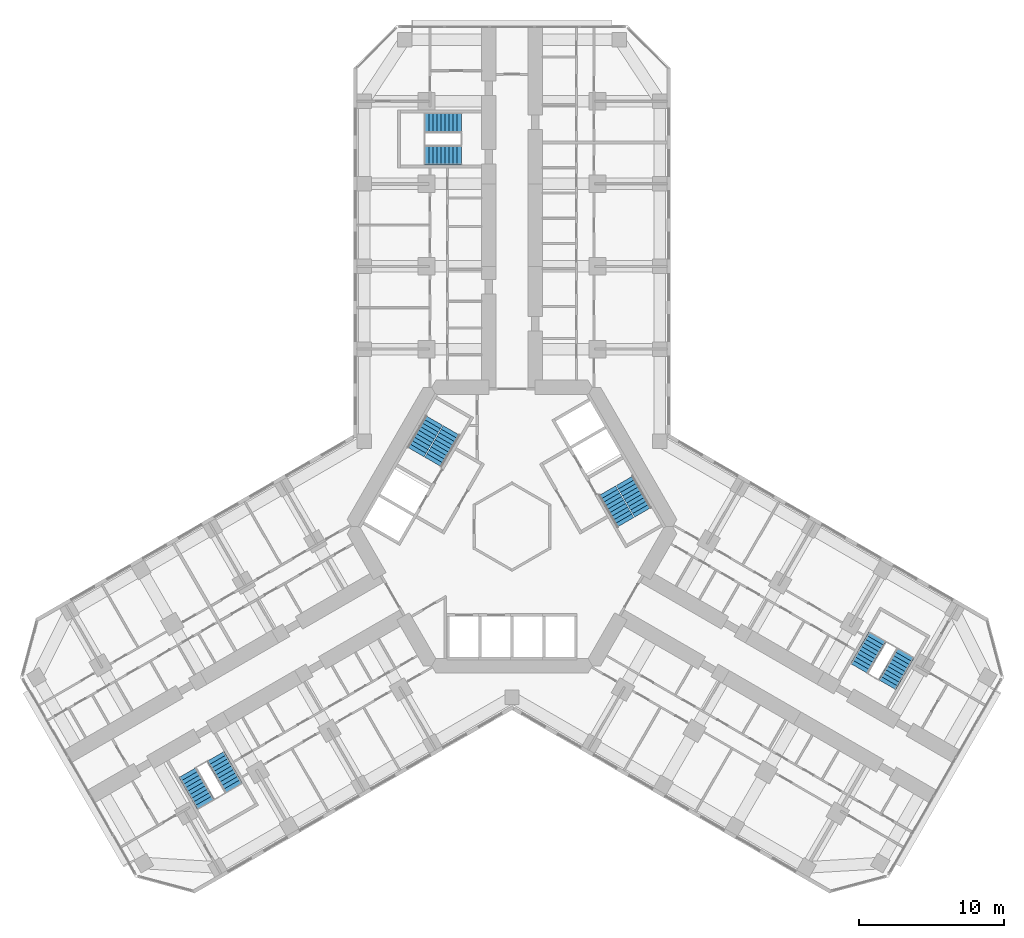
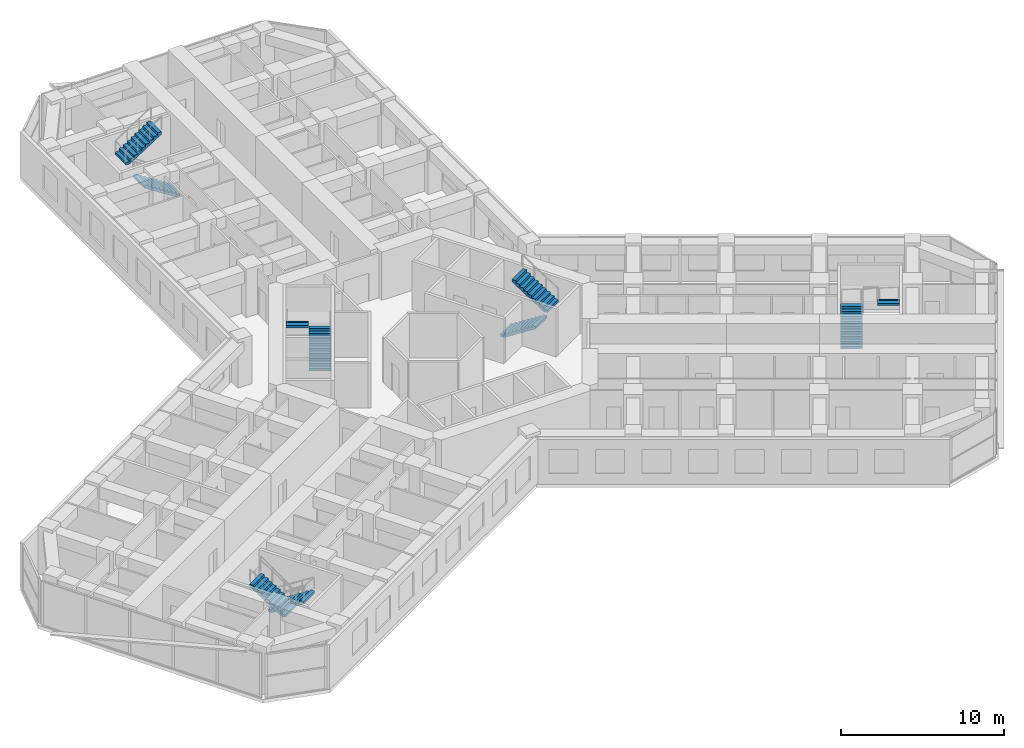
# One storey, part 20 of 21: 10 stair flights, 5 elements without a shape of their own.
"""IFC4 building model written with IfcOpenShell, lengths in metres."""

import ifcopenshell
import ifcopenshell.guid

model = None  # the IFC model being written
_history = None  # IfcOwnerHistory: only IFC2X3 demands one
_inside = {}  # id of a spatial element -> (the spatial element, [elements in it])
_under = {}  # id of a project, library or spatial element -> (it, [spatial elements below it])
_declared = {}  # id of a project -> (the project, [libraries it declares])
_typed = {}  # id of a type object -> (the type object, [elements of that type])
_made_of = {}  # id of a material, layer set ... -> (it, [elements and type objects made of it])


def new_model(schema):
    """Start an empty IFC model of exactly this schema.

    Asked for "IFC4X3", IfcOpenShell would pick the latest addendum, in which some entities
    have other attributes; the version numbers below select the first issue.
    IFC2X3 requires an IfcOwnerHistory on every rooted entity: one is made here for all.
    """
    global model, _history
    if schema == "IFC4X3":
        model = ifcopenshell.file(schema_version=(4, 3, 0, 0))
    else:
        model = ifcopenshell.file(schema=schema)
    _inside.clear()
    _under.clear()
    _declared.clear()
    _typed.clear()
    _made_of.clear()
    _history = None
    if model.schema == "IFC2X3":
        org = make("IfcOrganization", Name="unknown")
        user = make(
            "IfcPersonAndOrganization",
            ThePerson=make("IfcPerson", FamilyName="unknown"),
            TheOrganization=org,
        )
        app = make(
            "IfcApplication",
            ApplicationDeveloper=org,
            Version="unknown",
            ApplicationFullName="unknown",
            ApplicationIdentifier="unknown",
        )
        _history = make(
            "IfcOwnerHistory",
            OwningUser=user,
            OwningApplication=app,
            ChangeAction="ADDED",
            CreationDate=0,
        )
    return model


def make(cls, **values):
    """One entity of the class cls with the attributes given. An attribute that is None is left unset."""
    return model.create_entity(
        cls, **{name: value for name, value in values.items() if value is not None}
    )


def rooted(cls, **values):
    """An entity with a GlobalId (a new one), such as an element, a storey or a relation."""
    return make(cls, GlobalId=ifcopenshell.guid.new(), OwnerHistory=_history, **values)


def si_unit(unit_type, name, prefix=None):
    """IfcSIUnit, for example si_unit("LENGTHUNIT", "METRE", prefix="MILLI")."""
    return make("IfcSIUnit", UnitType=unit_type, Prefix=prefix, Name=name)


def assignment(units):
    """IfcUnitAssignment: the units of a project."""
    return None if units is None else make("IfcUnitAssignment", Units=units)


def point(xyz):
    """IfcCartesianPoint."""
    return None if xyz is None else make("IfcCartesianPoint", Coordinates=xyz)


def direction(xyz):
    """IfcDirection."""
    return None if xyz is None else make("IfcDirection", DirectionRatios=xyz)


def frame(location, z_axis=None, x_axis=None):
    """IfcAxis2Placement3D, a coordinate frame: its origin and axes. An axis left out is left unset."""
    return make(
        "IfcAxis2Placement3D",
        Location=point(location),
        Axis=direction(z_axis),
        RefDirection=direction(x_axis),
    )


def origin():
    """The frame at (0, 0, 0) with its axes left unset."""
    return frame((0.0, 0.0, 0.0))


def place(relative_to, where):
    """IfcLocalPlacement: puts the frame where relative to a parent placement (None: the world)."""
    return make(
        "IfcLocalPlacement", PlacementRelTo=relative_to, RelativePlacement=where
    )


def context(
    kind, dimensions, precision=None, world=None, true_north=None, identifier=None
):
    """IfcGeometricRepresentationContext, for example the 3D "Model" context."""
    return make(
        "IfcGeometricRepresentationContext",
        ContextIdentifier=identifier,
        ContextType=kind,
        CoordinateSpaceDimension=dimensions,
        Precision=precision,
        WorldCoordinateSystem=world,
        TrueNorth=true_north,
    )


def subcontext(parent, identifier, kind, view, scale=None):
    """IfcGeometricRepresentationSubContext, for example "Body" below "Model"."""
    return make(
        "IfcGeometricRepresentationSubContext",
        ContextIdentifier=identifier,
        ContextType=kind,
        ParentContext=parent,
        TargetScale=scale,
        TargetView=view,
    )


def project(units=None, contexts=None):
    """IfcProject with its units and contexts."""
    return rooted(
        "IfcProject",
        Name="project",
        RepresentationContexts=contexts,
        UnitsInContext=assignment(units),
    )


def spatial(cls, under=None, at=None, **own):
    """A site, building, storey or space (cls), placed at a placement, below another one or the project."""
    s = rooted(cls, ObjectPlacement=at, **own)
    if under is not None:
        _under.setdefault(under.id(), (under, []))[1].append(s)
    return s


def polyline(points):
    """IfcPolyline through the points."""
    return make("IfcPolyline", Points=[point(p) for p in points])


def outline(outer, holes=None, kind="AREA"):
    """IfcArbitraryClosedProfileDef: a profile drawn as a closed curve; with holes, ...WithVoids."""
    if holes is None:
        return make("IfcArbitraryClosedProfileDef", ProfileType=kind, OuterCurve=outer)
    return make(
        "IfcArbitraryProfileDefWithVoids",
        ProfileType=kind,
        OuterCurve=outer,
        InnerCurves=holes,
    )


def extrude(swept, where, along, depth):
    """IfcExtrudedAreaSolid: the profile swept, set in the frame where, extruded along a direction by depth."""
    return make(
        "IfcExtrudedAreaSolid",
        SweptArea=swept,
        Position=where,
        ExtrudedDirection=direction(along),
        Depth=depth,
    )


def shape(context_of_items, identifier, shape_type, items):
    """IfcShapeRepresentation: the items that make up one representation, for example the "Body"."""
    return make(
        "IfcShapeRepresentation",
        ContextOfItems=context_of_items,
        RepresentationIdentifier=identifier,
        RepresentationType=shape_type,
        Items=items,
    )


def material(Name=None, Category=None):
    """IfcMaterial."""
    return make("IfcMaterial", Name=Name, Category=Category)


def made_of(thing, what):
    """Note that an element or type object is made of a material, layer set ...; save() writes the relation."""
    if what is not None:
        _made_of.setdefault(what.id(), (what, []))[1].append(thing)
    return thing


def type_object(cls, material=None, **own):
    """A type object (cls), such as IfcWallType, which elements share."""
    return made_of(rooted(cls, **own), material)


def element(
    cls,
    number,
    at=None,
    inside=None,
    cuts=None,
    type_object=None,
    material=None,
    context=None,
    identifier="Body",
    shape_type=None,
    held_by="IfcProductDefinitionShape",
    body=None,
    shapes=None,
    **own,
):
    """One element of the class cls, such as IfcWall. Its Tag is "e" and its number.

    at: its placement. inside: the storey or other place that contains it. cuts: it is an
    opening in that element (IfcRelVoidsElement). A single representation is given by context,
    identifier, shape_type and body (its items); several are given by shapes. held_by: the class
    of the entity that holds the representations. save() writes the other relations.
    """
    e = rooted(cls, Tag="e%d" % number, ObjectPlacement=at, **own)
    if body is not None:
        shapes = [shape(context, identifier, shape_type, body)]
    if shapes is not None:
        e.Representation = make(held_by, Representations=shapes)
    if inside is not None:
        _inside.setdefault(inside.id(), (inside, []))[1].append(e)
    if cuts is not None:
        rooted(
            "IfcRelVoidsElement", RelatingBuildingElement=cuts, RelatedOpeningElement=e
        )
    if type_object is not None:
        _typed.setdefault(type_object.id(), (type_object, []))[1].append(e)
    return made_of(e, material)


def aggregate(whole, parts):
    """IfcRelAggregates: a whole, such as a stair, and the parts it consists of."""
    return rooted("IfcRelAggregates", RelatingObject=whole, RelatedObjects=parts)


def save(model, path):
    """Write the relations noted so far, then the file.

    IfcRelAggregates (storeys below a building ...), IfcRelContainedInSpatialStructure (elements
    in a storey), IfcRelDefinesByType, IfcRelAssociatesMaterial and IfcRelDeclares: one each for
    every whole, place, type object, material and project.
    """
    for whole, parts in _under.values():
        aggregate(whole, parts)
    for where, things in _inside.values():
        rooted(
            "IfcRelContainedInSpatialStructure",
            RelatedElements=things,
            RelatingStructure=where,
        )
    for kind, things in _typed.values():
        rooted("IfcRelDefinesByType", RelatedObjects=things, RelatingType=kind)
    for what, things in _made_of.values():
        rooted("IfcRelAssociatesMaterial", RelatedObjects=things, RelatingMaterial=what)
    for by, libraries in _declared.values():
        rooted("IfcRelDeclares", RelatingContext=by, RelatedDefinitions=libraries)
    model.write(path)


model = new_model("IFC4")

# Units and contexts
model_context = context("Model", 3, precision=1e-05, world=origin(), true_north=direction((0.0, 1.0)))
body_context = subcontext(model_context, "Body", "Model", "MODEL_VIEW")
ifc_project = project(units=[si_unit("LENGTHUNIT", "METRE"), si_unit("AREAUNIT", "SQUARE_METRE"), si_unit("VOLUMEUNIT", "CUBIC_METRE"), si_unit("PLANEANGLEUNIT", "RADIAN"), si_unit("MASSUNIT", "GRAM", prefix="KILO")], contexts=[model_context])

# Site, building, storey
site_placement = place(None, origin())
site = spatial("IfcSite", under=ifc_project, at=site_placement, CompositionType="ELEMENT")
building_placement = place(site_placement, origin())
building = spatial("IfcBuilding", under=site, at=building_placement, Name="Kosmar Iwan School Tower", CompositionType="ELEMENT")
storey_placement = place(building_placement, frame((0.0, 0.0, 68.199951171875)))
storey = spatial("IfcBuildingStorey", under=building, at=storey_placement, Name="L16", CompositionType="ELEMENT", Elevation=68.199951171875)

# Stair, stair flights
ifc_material_1 = material(Name="Concrete C35/45", Category="concrete")
stair_type_1 = type_object("IfcStairType", Name="Escape stair 3600", PredefinedType="HALF_TURN_STAIR", material=ifc_material_1)
stair_1_placement = place(storey_placement, origin())
stair_1 = element("IfcStair", 1, at=stair_1_placement, inside=storey, type_object=stair_type_1, Name="Stair WS1 L16", PredefinedType="HALF_TURN_STAIR")
ifc_material_2 = material(Name="Concrete C35/45", Category="concrete")
stair_flight_type_1 = type_object("IfcStairFlightType", Name="Escape stair flight 1350", PredefinedType="STRAIGHT", material=ifc_material_2)
stair_flight_1_placement = place(storey_placement, frame((-3.5, 25.625, 0.0), z_axis=(0.0, 0.0, 1.0), x_axis=(-1.0, 0.0, 0.0)))
stair_flight_1 = element("IfcStairFlight", 2, at=stair_flight_1_placement, type_object=stair_flight_type_1, Name="WS1 flight 1", NumberOfRisers=10, NumberOfTreads=9, PredefinedType="STRAIGHT", RiserHeight=0.18, TreadLength=0.28, context=body_context, shape_type="SweptSolid", body=[
    extrude(outline(polyline([(0.0, 0.0), (0.0, 0.179931640625), (0.280029296875, 0.179931640625), (0.280029296875, 0.360107421875), (0.56005859375, 0.360107421875), (0.56005859375, 0.5400390625), (0.840087890625, 0.5400390625), (0.840087890625, 0.719970703125), (1.1201171875, 0.719970703125), (1.1201171875, 0.89990234375), (1.39990234375, 0.89990234375), (1.39990234375, 1.080078125), (1.679931640625, 1.080078125), (1.679931640625, 1.260009765625), (1.9599609375, 1.260009765625), (1.9599609375, 1.43994140625), (2.239990234375, 1.43994140625), (2.239990234375, 1.6201171875), (2.52001953125, 1.6201171875), (2.52001953125, 1.800048828125), (2.52001953125, 1.44189453125), (0.277099609375, 0.0), (0.0, 0.0)])), frame((0.0, 0.675048828125, 0.0), z_axis=(0.0, -1.0, 0.0), x_axis=(1.0, 0.0, 0.0)), (0.0, 0.0, 1.0), 1.35009765625),
])
stair_flight_2_placement = place(storey_placement, frame((-6.02001953125, 27.875, 1.800048828125), z_axis=(0.0, 0.0, 1.0), x_axis=(1.0, 0.0, 0.0)))
stair_flight_2 = element("IfcStairFlight", 3, at=stair_flight_2_placement, type_object=stair_flight_type_1, Name="WS1 flight 2", NumberOfRisers=10, NumberOfTreads=9, PredefinedType="STRAIGHT", RiserHeight=0.18, TreadLength=0.28, context=body_context, shape_type="SweptSolid", body=[
    extrude(outline(polyline([(0.0, 0.0), (0.0, 0.179931640625), (0.280029296875, 0.179931640625), (0.280029296875, 0.360107421875), (0.56005859375, 0.360107421875), (0.56005859375, 0.5400390625), (0.840087890625, 0.5400390625), (0.840087890625, 0.719970703125), (1.1201171875, 0.719970703125), (1.1201171875, 0.89990234375), (1.39990234375, 0.89990234375), (1.39990234375, 1.080078125), (1.679931640625, 1.080078125), (1.679931640625, 1.260009765625), (1.9599609375, 1.260009765625), (1.9599609375, 1.43994140625), (2.239990234375, 1.43994140625), (2.239990234375, 1.6201171875), (2.52001953125, 1.6201171875), (2.52001953125, 1.800048828125), (2.52001953125, 1.44189453125), (0.277099609375, 0.0), (0.0, 0.0)])), frame((0.0, 0.675048828125, 0.0), z_axis=(0.0, -1.0, 0.0), x_axis=(1.0, 0.0, 0.0)), (0.0, 0.0, 1.0), 1.35009765625),
])
aggregate(stair_1, [stair_flight_1, stair_flight_2])

stair_2_placement = place(storey_placement, origin())
stair_2 = element("IfcStair", 4, at=stair_2_placement, inside=storey, type_object=stair_type_1, Name="Stair WS2 L16", PredefinedType="HALF_TURN_STAIR")
stair_flight_3_placement = place(storey_placement, frame((-20.44189453125, -15.843505859375, 0.0), z_axis=(0.0, 0.0, 1.0), x_axis=(0.5, -0.866025403784, 0.0)))
stair_flight_3 = element("IfcStairFlight", 5, at=stair_flight_3_placement, type_object=stair_flight_type_1, Name="WS2 flight 1", NumberOfRisers=10, NumberOfTreads=9, PredefinedType="STRAIGHT", RiserHeight=0.18, TreadLength=0.28, context=body_context, shape_type="SweptSolid", body=[
    extrude(outline(polyline([(0.0, 0.0), (0.0, 0.179931640625), (0.280029296875, 0.179931640625), (0.280029296875, 0.360107421875), (0.56005859375, 0.360107421875), (0.56005859375, 0.5400390625), (0.840087890625, 0.5400390625), (0.840087890625, 0.719970703125), (1.1201171875, 0.719970703125), (1.1201171875, 0.89990234375), (1.39990234375, 0.89990234375), (1.39990234375, 1.080078125), (1.679931640625, 1.080078125), (1.679931640625, 1.260009765625), (1.9599609375, 1.260009765625), (1.9599609375, 1.43994140625), (2.239990234375, 1.43994140625), (2.239990234375, 1.6201171875), (2.52001953125, 1.6201171875), (2.52001953125, 1.800048828125), (2.52001953125, 1.44189453125), (0.277099609375, 0.0), (0.0, 0.0)])), frame((0.0, 0.675048828125, 0.0), z_axis=(0.0, -1.0, 0.0), x_axis=(1.0, 0.0, 0.0)), (0.0, 0.0, 1.0), 1.35009765625),
])
stair_flight_4_placement = place(storey_placement, frame((-21.13037109375, -19.15087890625, 1.800048828125), z_axis=(0.0, 0.0, 1.0), x_axis=(-0.5, 0.866025403784, 0.0)))
stair_flight_4 = element("IfcStairFlight", 6, at=stair_flight_4_placement, type_object=stair_flight_type_1, Name="WS2 flight 2", NumberOfRisers=10, NumberOfTreads=9, PredefinedType="STRAIGHT", RiserHeight=0.18, TreadLength=0.28, context=body_context, shape_type="SweptSolid", body=[
    extrude(outline(polyline([(0.0, 0.0), (0.0, 0.179931640625), (0.280029296875, 0.179931640625), (0.280029296875, 0.360107421875), (0.56005859375, 0.360107421875), (0.56005859375, 0.5400390625), (0.840087890625, 0.5400390625), (0.840087890625, 0.719970703125), (1.1201171875, 0.719970703125), (1.1201171875, 0.89990234375), (1.39990234375, 0.89990234375), (1.39990234375, 1.080078125), (1.679931640625, 1.080078125), (1.679931640625, 1.260009765625), (1.9599609375, 1.260009765625), (1.9599609375, 1.43994140625), (2.239990234375, 1.43994140625), (2.239990234375, 1.6201171875), (2.52001953125, 1.6201171875), (2.52001953125, 1.800048828125), (2.52001953125, 1.44189453125), (0.277099609375, 0.0), (0.0, 0.0)])), frame((0.0, 0.675048828125, 0.0), z_axis=(0.0, -1.0, 0.0), x_axis=(1.0, 0.0, 0.0)), (0.0, 0.0, 1.0), 1.35009765625),
])
aggregate(stair_2, [stair_flight_3, stair_flight_4])

stair_3_placement = place(storey_placement, origin())
stair_3 = element("IfcStair", 7, at=stair_3_placement, inside=storey, type_object=stair_type_1, Name="Stair WS3 L16", PredefinedType="HALF_TURN_STAIR")
stair_flight_5_placement = place(storey_placement, frame((23.94189453125, -9.781494140625, 0.0), z_axis=(0.0, 0.0, 1.0), x_axis=(0.5, 0.866025403784, 0.0)))
stair_flight_5 = element("IfcStairFlight", 8, at=stair_flight_5_placement, type_object=stair_flight_type_1, Name="WS3 flight 1", NumberOfRisers=10, NumberOfTreads=9, PredefinedType="STRAIGHT", RiserHeight=0.18, TreadLength=0.28, context=body_context, shape_type="SweptSolid", body=[
    extrude(outline(polyline([(0.0, 0.0), (0.0, 0.179931640625), (0.280029296875, 0.179931640625), (0.280029296875, 0.360107421875), (0.56005859375, 0.360107421875), (0.56005859375, 0.5400390625), (0.840087890625, 0.5400390625), (0.840087890625, 0.719970703125), (1.1201171875, 0.719970703125), (1.1201171875, 0.89990234375), (1.39990234375, 0.89990234375), (1.39990234375, 1.080078125), (1.679931640625, 1.080078125), (1.679931640625, 1.260009765625), (1.9599609375, 1.260009765625), (1.9599609375, 1.43994140625), (2.239990234375, 1.43994140625), (2.239990234375, 1.6201171875), (2.52001953125, 1.6201171875), (2.52001953125, 1.800048828125), (2.52001953125, 1.44189453125), (0.277099609375, 0.0), (0.0, 0.0)])), frame((0.0, 0.675048828125, 0.0), z_axis=(0.0, -1.0, 0.0), x_axis=(1.0, 0.0, 0.0)), (0.0, 0.0, 1.0), 1.35009765625),
])
stair_flight_6_placement = place(storey_placement, frame((27.150390625, -8.72412109375, 1.800048828125), z_axis=(0.0, 0.0, 1.0), x_axis=(-0.5, -0.866025403784, 0.0)))
stair_flight_6 = element("IfcStairFlight", 9, at=stair_flight_6_placement, type_object=stair_flight_type_1, Name="WS3 flight 2", NumberOfRisers=10, NumberOfTreads=9, PredefinedType="STRAIGHT", RiserHeight=0.18, TreadLength=0.28, context=body_context, shape_type="SweptSolid", body=[
    extrude(outline(polyline([(0.0, 0.0), (0.0, 0.179931640625), (0.280029296875, 0.179931640625), (0.280029296875, 0.360107421875), (0.56005859375, 0.360107421875), (0.56005859375, 0.5400390625), (0.840087890625, 0.5400390625), (0.840087890625, 0.719970703125), (1.1201171875, 0.719970703125), (1.1201171875, 0.89990234375), (1.39990234375, 0.89990234375), (1.39990234375, 1.080078125), (1.679931640625, 1.080078125), (1.679931640625, 1.260009765625), (1.9599609375, 1.260009765625), (1.9599609375, 1.43994140625), (2.239990234375, 1.43994140625), (2.239990234375, 1.6201171875), (2.52001953125, 1.6201171875), (2.52001953125, 1.800048828125), (2.52001953125, 1.44189453125), (0.277099609375, 0.0), (0.0, 0.0)])), frame((0.0, 0.675048828125, 0.0), z_axis=(0.0, -1.0, 0.0), x_axis=(1.0, 0.0, 0.0)), (0.0, 0.0, 1.0), 1.35009765625),
])
aggregate(stair_3, [stair_flight_5, stair_flight_6])

ifc_material_3 = material(Name="Concrete C35/45", Category="concrete")
stair_type_2 = type_object("IfcStairType", Name="Core stair 2750", PredefinedType="HALF_TURN_STAIR", material=ifc_material_3)
stair_4_placement = place(storey_placement, origin())
stair_4 = element("IfcStair", 10, at=stair_4_placement, inside=storey, type_object=stair_type_2, Name="Stair ST2 L16", PredefinedType="HALF_TURN_STAIR")
ifc_material_4 = material(Name="Concrete C35/45", Category="concrete")
stair_flight_type_2 = type_object("IfcStairFlightType", Name="Stair flight 1350", PredefinedType="STRAIGHT", material=ifc_material_4)
stair_flight_7_placement = place(storey_placement, frame((-5.42724609375, 4.44970703125, 0.0), z_axis=(0.0, 0.0, 1.0), x_axis=(0.5, 0.866025403784, 0.0)))
stair_flight_7 = element("IfcStairFlight", 11, at=stair_flight_7_placement, type_object=stair_flight_type_2, Name="ST2 flight 1", NumberOfRisers=10, NumberOfTreads=9, PredefinedType="STRAIGHT", RiserHeight=0.18, TreadLength=0.28, context=body_context, shape_type="SweptSolid", body=[
    extrude(outline(polyline([(0.0, 0.0), (0.0, 0.179931640625), (0.280029296875, 0.179931640625), (0.280029296875, 0.360107421875), (0.56005859375, 0.360107421875), (0.56005859375, 0.5400390625), (0.840087890625, 0.5400390625), (0.840087890625, 0.719970703125), (1.1201171875, 0.719970703125), (1.1201171875, 0.89990234375), (1.39990234375, 0.89990234375), (1.39990234375, 1.080078125), (1.679931640625, 1.080078125), (1.679931640625, 1.260009765625), (1.9599609375, 1.260009765625), (1.9599609375, 1.43994140625), (2.239990234375, 1.43994140625), (2.239990234375, 1.6201171875), (2.52001953125, 1.6201171875), (2.52001953125, 1.800048828125), (2.52001953125, 1.44189453125), (0.277099609375, 0.0), (0.0, 0.0)])), frame((0.0, 0.675048828125, 0.0), z_axis=(0.0, -1.0, 0.0), x_axis=(1.0, 0.0, 0.0)), (0.0, 0.0, 1.0), 1.35009765625),
])
stair_flight_8_placement = place(storey_placement, frame((-5.379638671875, 7.33203125, 1.800048828125), z_axis=(0.0, 0.0, 1.0), x_axis=(-0.5, -0.866025403784, 0.0)))
stair_flight_8 = element("IfcStairFlight", 12, at=stair_flight_8_placement, type_object=stair_flight_type_2, Name="ST2 flight 2", NumberOfRisers=10, NumberOfTreads=9, PredefinedType="STRAIGHT", RiserHeight=0.18, TreadLength=0.28, context=body_context, shape_type="SweptSolid", body=[
    extrude(outline(polyline([(0.0, 0.0), (0.0, 0.179931640625), (0.280029296875, 0.179931640625), (0.280029296875, 0.360107421875), (0.56005859375, 0.360107421875), (0.56005859375, 0.5400390625), (0.840087890625, 0.5400390625), (0.840087890625, 0.719970703125), (1.1201171875, 0.719970703125), (1.1201171875, 0.89990234375), (1.39990234375, 0.89990234375), (1.39990234375, 1.080078125), (1.679931640625, 1.080078125), (1.679931640625, 1.260009765625), (1.9599609375, 1.260009765625), (1.9599609375, 1.43994140625), (2.239990234375, 1.43994140625), (2.239990234375, 1.6201171875), (2.52001953125, 1.6201171875), (2.52001953125, 1.800048828125), (2.52001953125, 1.44189453125), (0.277099609375, 0.0), (0.0, 0.0)])), frame((0.0, 0.675048828125, 0.0), z_axis=(0.0, -1.0, 0.0), x_axis=(1.0, 0.0, 0.0)), (0.0, 0.0, 1.0), 1.35009765625),
])
aggregate(stair_4, [stair_flight_7, stair_flight_8])

stair_5_placement = place(storey_placement, origin())
stair_5 = element("IfcStair", 13, at=stair_5_placement, inside=storey, type_object=stair_type_2, Name="Stair ST1 L16", PredefinedType="HALF_TURN_STAIR")
stair_flight_9_placement = place(storey_placement, frame((6.567138671875, 2.475341796875, 0.0), z_axis=(0.0, 0.0, 1.0), x_axis=(0.5, -0.866025403784, 0.0)))
stair_flight_9 = element("IfcStairFlight", 14, at=stair_flight_9_placement, type_object=stair_flight_type_2, Name="ST1 flight 1", NumberOfRisers=10, NumberOfTreads=9, PredefinedType="STRAIGHT", RiserHeight=0.18, TreadLength=0.28, context=body_context, shape_type="SweptSolid", body=[
    extrude(outline(polyline([(0.0, 0.0), (0.0, 0.179931640625), (0.280029296875, 0.179931640625), (0.280029296875, 0.360107421875), (0.56005859375, 0.360107421875), (0.56005859375, 0.5400390625), (0.840087890625, 0.5400390625), (0.840087890625, 0.719970703125), (1.1201171875, 0.719970703125), (1.1201171875, 0.89990234375), (1.39990234375, 0.89990234375), (1.39990234375, 1.080078125), (1.679931640625, 1.080078125), (1.679931640625, 1.260009765625), (1.9599609375, 1.260009765625), (1.9599609375, 1.43994140625), (2.239990234375, 1.43994140625), (2.239990234375, 1.6201171875), (2.52001953125, 1.6201171875), (2.52001953125, 1.800048828125), (2.52001953125, 1.44189453125), (0.277099609375, 0.0), (0.0, 0.0)])), frame((0.0, 0.675048828125, 0.0), z_axis=(0.0, -1.0, 0.0), x_axis=(1.0, 0.0, 0.0)), (0.0, 0.0, 1.0), 1.35009765625),
])
stair_flight_10_placement = place(storey_placement, frame((9.03955078125, 0.992919921875, 1.800048828125), z_axis=(0.0, 0.0, 1.0), x_axis=(-0.5, 0.866025403784, 0.0)))
stair_flight_10 = element("IfcStairFlight", 15, at=stair_flight_10_placement, type_object=stair_flight_type_2, Name="ST1 flight 2", NumberOfRisers=10, NumberOfTreads=9, PredefinedType="STRAIGHT", RiserHeight=0.18, TreadLength=0.28, context=body_context, shape_type="SweptSolid", body=[
    extrude(outline(polyline([(0.0, 0.0), (0.0, 0.179931640625), (0.280029296875, 0.179931640625), (0.280029296875, 0.360107421875), (0.56005859375, 0.360107421875), (0.56005859375, 0.5400390625), (0.840087890625, 0.5400390625), (0.840087890625, 0.719970703125), (1.1201171875, 0.719970703125), (1.1201171875, 0.89990234375), (1.39990234375, 0.89990234375), (1.39990234375, 1.080078125), (1.679931640625, 1.080078125), (1.679931640625, 1.260009765625), (1.9599609375, 1.260009765625), (1.9599609375, 1.43994140625), (2.239990234375, 1.43994140625), (2.239990234375, 1.6201171875), (2.52001953125, 1.6201171875), (2.52001953125, 1.800048828125), (2.52001953125, 1.44189453125), (0.277099609375, 0.0), (0.0, 0.0)])), frame((0.0, 0.675048828125, 0.0), z_axis=(0.0, -1.0, 0.0), x_axis=(1.0, 0.0, 0.0)), (0.0, 0.0, 1.0), 1.35009765625),
])
aggregate(stair_5, [stair_flight_9, stair_flight_10])

save(model, "model.ifc")
